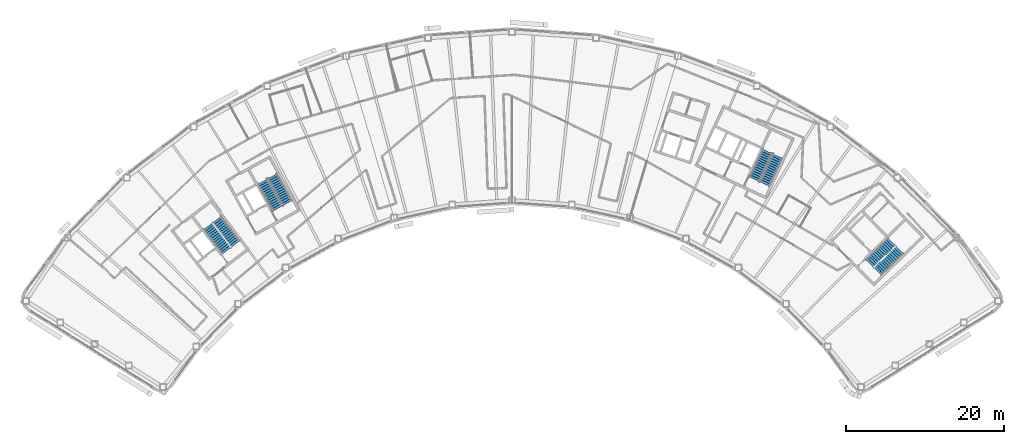
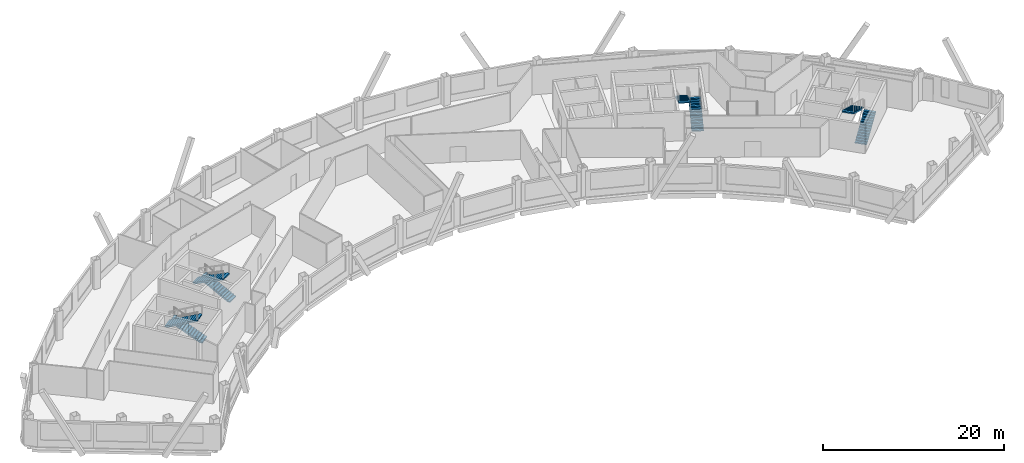
# One storey, part 10 of 12: 8 stair flights, 4 elements without a shape of their own.
"""IFC4 building model written with IfcOpenShell, lengths in metres."""

from ifc_helpers import new_model, si_unit, direction, frame, origin, place, context, subcontext, project, spatial, polyline, outline, extrude, material, type_object, element, aggregate, save


model = new_model("IFC4")

# Units and contexts
model_context = context("Model", 3, precision=1e-05, world=origin(), true_north=direction((0.0, 1.0)))
body_context = subcontext(model_context, "Body", "Model", "MODEL_VIEW")
ifc_project = project(units=[si_unit("LENGTHUNIT", "METRE"), si_unit("AREAUNIT", "SQUARE_METRE"), si_unit("VOLUMEUNIT", "CUBIC_METRE"), si_unit("PLANEANGLEUNIT", "RADIAN"), si_unit("MASSUNIT", "GRAM", prefix="KILO")], contexts=[model_context])

# Site, building, storey
site_placement = place(None, origin())
site = spatial("IfcSite", under=ifc_project, at=site_placement, CompositionType="ELEMENT")
building_placement = place(site_placement, origin())
building = spatial("IfcBuilding", under=site, at=building_placement, Name="Tuul Gate Civic Tower", CompositionType="ELEMENT")
storey_placement = place(building_placement, frame((0.0, 0.0, 328.10009765625)))
storey = spatial("IfcBuildingStorey", under=building, at=storey_placement, Name="Level 74", CompositionType="ELEMENT", Elevation=328.10009765625)

# Stair, stair flights
ifc_material_1 = material(Name="Concrete C40/50", Category="concrete")
stair_type = type_object("IfcStairType", Name="Exit stair", PredefinedType="HALF_TURN_STAIR", material=ifc_material_1)
stair_1_placement = place(storey_placement, origin())
stair_1 = element("IfcStair", 1, at=stair_1_placement, inside=storey, type_object=stair_type, Name="Level 74 ST-1", PredefinedType="HALF_TURN_STAIR")
ifc_material_2 = material(Name="Concrete C40/50", Category="concrete")
stair_flight_type = type_object("IfcStairFlightType", Name="Exit stair flight", PredefinedType="STRAIGHT", material=ifc_material_2)
stair_flight_1_placement = place(storey_placement, frame((-32.875244140625, -13.066650390625, 0.0), z_axis=(0.0, 0.0, 1.0), x_axis=(-0.605764474941, 0.795644016442, 0.0)))
stair_flight_1 = element("IfcStairFlight", 2, at=stair_flight_1_placement, type_object=stair_flight_type, Name="ST-1 flight 1", NumberOfRisers=14, NumberOfTreads=13, PredefinedType="STRAIGHT", RiserHeight=0.15, TreadLength=0.3, context=body_context, shape_type="SweptSolid", body=[
    extrude(outline(polyline([(0.0, 0.0), (0.0, 0.14990234375), (0.300048828125, 0.14990234375), (0.300048828125, 0.300048828125), (0.60009765625, 0.300048828125), (0.60009765625, 0.449951171875), (0.89990234375, 0.449951171875), (0.89990234375, 0.60009765625), (1.199951171875, 0.60009765625), (1.199951171875, 0.75), (1.5, 0.75), (1.5, 0.89990234375), (1.800048828125, 0.89990234375), (1.800048828125, 1.050048828125), (2.10009765625, 1.050048828125), (2.10009765625, 1.199951171875), (2.39990234375, 1.199951171875), (2.39990234375, 1.35009765625), (2.699951171875, 1.35009765625), (2.699951171875, 1.5), (3.0, 1.5), (3.0, 1.64990234375), (3.300048828125, 1.64990234375), (3.300048828125, 1.800048828125), (3.60009765625, 1.800048828125), (3.60009765625, 1.949951171875), (3.89990234375, 1.949951171875), (3.89990234375, 2.10009765625), (3.89990234375, 1.782470703125), (0.335205078125, 0.0), (0.0, 0.0)])), frame((0.0, 0.675048828125, 0.0), z_axis=(0.0, -1.0, 0.0), x_axis=(1.0, 0.0, 0.0)), (0.0, 0.0, 1.0), 1.35009765625),
])
stair_flight_2_placement = place(storey_placement, frame((-36.391357421875, -10.842041015625, 2.099853515625), z_axis=(0.0, 0.0, 1.0), x_axis=(0.605764474941, -0.795644016442, 0.0)))
stair_flight_2 = element("IfcStairFlight", 3, at=stair_flight_2_placement, type_object=stair_flight_type, Name="ST-1 flight 2", NumberOfRisers=14, NumberOfTreads=13, PredefinedType="STRAIGHT", RiserHeight=0.15, TreadLength=0.3, context=body_context, shape_type="SweptSolid", body=[
    extrude(outline(polyline([(0.0, 0.0), (0.0, 0.14990234375), (0.300048828125, 0.14990234375), (0.300048828125, 0.300048828125), (0.60009765625, 0.300048828125), (0.60009765625, 0.449951171875), (0.89990234375, 0.449951171875), (0.89990234375, 0.60009765625), (1.199951171875, 0.60009765625), (1.199951171875, 0.75), (1.5, 0.75), (1.5, 0.89990234375), (1.800048828125, 0.89990234375), (1.800048828125, 1.050048828125), (2.10009765625, 1.050048828125), (2.10009765625, 1.199951171875), (2.39990234375, 1.199951171875), (2.39990234375, 1.35009765625), (2.699951171875, 1.35009765625), (2.699951171875, 1.5), (3.0, 1.5), (3.0, 1.64990234375), (3.300048828125, 1.64990234375), (3.300048828125, 1.800048828125), (3.60009765625, 1.800048828125), (3.60009765625, 1.949951171875), (3.89990234375, 1.949951171875), (3.89990234375, 2.10009765625), (3.89990234375, 1.782470703125), (0.335205078125, 0.0), (0.0, 0.0)])), frame((0.0, 0.675048828125, 0.0), z_axis=(0.0, -1.0, 0.0), x_axis=(1.0, 0.0, 0.0)), (0.0, 0.0, 1.0), 1.35009765625),
])
aggregate(stair_1, [stair_flight_1, stair_flight_2])

stair_2_placement = place(storey_placement, origin())
stair_2 = element("IfcStair", 4, at=stair_2_placement, inside=storey, type_object=stair_type, Name="Level 74 ST-2", PredefinedType="HALF_TURN_STAIR")
stair_flight_3_placement = place(storey_placement, frame((-26.29150390625, -7.87646484375, 0.0), z_axis=(0.0, 0.0, 1.0), x_axis=(-0.484761763766, 0.874646232708, 0.0)))
stair_flight_3 = element("IfcStairFlight", 5, at=stair_flight_3_placement, type_object=stair_flight_type, Name="ST-2 flight 1", NumberOfRisers=14, NumberOfTreads=13, PredefinedType="STRAIGHT", RiserHeight=0.15, TreadLength=0.3, context=body_context, shape_type="SweptSolid", body=[
    extrude(outline(polyline([(0.0, 0.0), (0.0, 0.14990234375), (0.300048828125, 0.14990234375), (0.300048828125, 0.300048828125), (0.60009765625, 0.300048828125), (0.60009765625, 0.449951171875), (0.89990234375, 0.449951171875), (0.89990234375, 0.60009765625), (1.199951171875, 0.60009765625), (1.199951171875, 0.75), (1.5, 0.75), (1.5, 0.89990234375), (1.800048828125, 0.89990234375), (1.800048828125, 1.050048828125), (2.10009765625, 1.050048828125), (2.10009765625, 1.199951171875), (2.39990234375, 1.199951171875), (2.39990234375, 1.35009765625), (2.699951171875, 1.35009765625), (2.699951171875, 1.5), (3.0, 1.5), (3.0, 1.64990234375), (3.300048828125, 1.64990234375), (3.300048828125, 1.800048828125), (3.60009765625, 1.800048828125), (3.60009765625, 1.949951171875), (3.89990234375, 1.949951171875), (3.89990234375, 2.10009765625), (3.89990234375, 1.782470703125), (0.335205078125, 0.0), (0.0, 0.0)])), frame((0.0, 0.675048828125, 0.0), z_axis=(0.0, -1.0, 0.0), x_axis=(1.0, 0.0, 0.0)), (0.0, 0.0, 1.0), 1.35009765625),
])
stair_flight_4_placement = place(storey_placement, frame((-29.450439453125, -5.168212890625, 2.099853515625), z_axis=(0.0, 0.0, 1.0), x_axis=(0.484761763766, -0.874646232708, 0.0)))
stair_flight_4 = element("IfcStairFlight", 6, at=stair_flight_4_placement, type_object=stair_flight_type, Name="ST-2 flight 2", NumberOfRisers=14, NumberOfTreads=13, PredefinedType="STRAIGHT", RiserHeight=0.15, TreadLength=0.3, context=body_context, shape_type="SweptSolid", body=[
    extrude(outline(polyline([(0.0, 0.0), (0.0, 0.14990234375), (0.300048828125, 0.14990234375), (0.300048828125, 0.300048828125), (0.60009765625, 0.300048828125), (0.60009765625, 0.449951171875), (0.89990234375, 0.449951171875), (0.89990234375, 0.60009765625), (1.199951171875, 0.60009765625), (1.199951171875, 0.75), (1.5, 0.75), (1.5, 0.89990234375), (1.800048828125, 0.89990234375), (1.800048828125, 1.050048828125), (2.10009765625, 1.050048828125), (2.10009765625, 1.199951171875), (2.39990234375, 1.199951171875), (2.39990234375, 1.35009765625), (2.699951171875, 1.35009765625), (2.699951171875, 1.5), (3.0, 1.5), (3.0, 1.64990234375), (3.300048828125, 1.64990234375), (3.300048828125, 1.800048828125), (3.60009765625, 1.800048828125), (3.60009765625, 1.949951171875), (3.89990234375, 1.949951171875), (3.89990234375, 2.10009765625), (3.89990234375, 1.782470703125), (0.335205078125, 0.0), (0.0, 0.0)])), frame((0.0, 0.675048828125, 0.0), z_axis=(0.0, -1.0, 0.0), x_axis=(1.0, 0.0, 0.0)), (0.0, 0.0, 1.0), 1.35009765625),
])
aggregate(stair_2, [stair_flight_3, stair_flight_4])

stair_3_placement = place(storey_placement, origin())
stair_3 = element("IfcStair", 7, at=stair_3_placement, inside=storey, type_object=stair_type, Name="Level 74 ST-3", PredefinedType="HALF_TURN_STAIR")
stair_flight_5_placement = place(storey_placement, frame((48.61376953125, -16.581787109375, 0.0), z_axis=(0.0, 0.0, 1.0), x_axis=(0.714127290059, 0.700015866672, 0.0)))
stair_flight_5 = element("IfcStairFlight", 8, at=stair_flight_5_placement, type_object=stair_flight_type, Name="ST-3 flight 1", NumberOfRisers=14, NumberOfTreads=13, PredefinedType="STRAIGHT", RiserHeight=0.15, TreadLength=0.3, context=body_context, shape_type="SweptSolid", body=[
    extrude(outline(polyline([(0.0, 0.0), (0.0, 0.14990234375), (0.300048828125, 0.14990234375), (0.300048828125, 0.300048828125), (0.60009765625, 0.300048828125), (0.60009765625, 0.449951171875), (0.89990234375, 0.449951171875), (0.89990234375, 0.60009765625), (1.199951171875, 0.60009765625), (1.199951171875, 0.75), (1.5, 0.75), (1.5, 0.89990234375), (1.800048828125, 0.89990234375), (1.800048828125, 1.050048828125), (2.10009765625, 1.050048828125), (2.10009765625, 1.199951171875), (2.39990234375, 1.199951171875), (2.39990234375, 1.35009765625), (2.699951171875, 1.35009765625), (2.699951171875, 1.5), (3.0, 1.5), (3.0, 1.64990234375), (3.300048828125, 1.64990234375), (3.300048828125, 1.800048828125), (3.60009765625, 1.800048828125), (3.60009765625, 1.949951171875), (3.89990234375, 1.949951171875), (3.89990234375, 2.10009765625), (3.89990234375, 1.782470703125), (0.335205078125, 0.0), (0.0, 0.0)])), frame((0.0, 0.675048828125, 0.0), z_axis=(0.0, -1.0, 0.0), x_axis=(1.0, 0.0, 0.0)), (0.0, 0.0, 1.0), 1.35009765625),
])
stair_flight_6_placement = place(storey_placement, frame((50.3837890625, -12.816162109375, 2.099853515625), z_axis=(0.0, 0.0, 1.0), x_axis=(-0.714127290059, -0.700015866672, 0.0)))
stair_flight_6 = element("IfcStairFlight", 9, at=stair_flight_6_placement, type_object=stair_flight_type, Name="ST-3 flight 2", NumberOfRisers=14, NumberOfTreads=13, PredefinedType="STRAIGHT", RiserHeight=0.15, TreadLength=0.3, context=body_context, shape_type="SweptSolid", body=[
    extrude(outline(polyline([(0.0, 0.0), (0.0, 0.14990234375), (0.300048828125, 0.14990234375), (0.300048828125, 0.300048828125), (0.60009765625, 0.300048828125), (0.60009765625, 0.449951171875), (0.89990234375, 0.449951171875), (0.89990234375, 0.60009765625), (1.199951171875, 0.60009765625), (1.199951171875, 0.75), (1.5, 0.75), (1.5, 0.89990234375), (1.800048828125, 0.89990234375), (1.800048828125, 1.050048828125), (2.10009765625, 1.050048828125), (2.10009765625, 1.199951171875), (2.39990234375, 1.199951171875), (2.39990234375, 1.35009765625), (2.699951171875, 1.35009765625), (2.699951171875, 1.5), (3.0, 1.5), (3.0, 1.64990234375), (3.300048828125, 1.64990234375), (3.300048828125, 1.800048828125), (3.60009765625, 1.800048828125), (3.60009765625, 1.949951171875), (3.89990234375, 1.949951171875), (3.89990234375, 2.10009765625), (3.89990234375, 1.782470703125), (0.335205078125, 0.0), (0.0, 0.0)])), frame((0.0, 0.675048828125, 0.0), z_axis=(0.0, -1.0, 0.0), x_axis=(1.0, 0.0, 0.0)), (0.0, 0.0, 1.0), 1.35009765625),
])
aggregate(stair_3, [stair_flight_5, stair_flight_6])

stair_4_placement = place(storey_placement, origin())
stair_4 = element("IfcStair", 10, at=stair_4_placement, inside=storey, type_object=stair_type, Name="Level 74 ST-4", PredefinedType="HALF_TURN_STAIR")
stair_flight_7_placement = place(storey_placement, frame((34.278564453125, -5.478515625, 0.0), z_axis=(0.0, 0.0, 1.0), x_axis=(0.422576295988, 0.906327354806, 0.0)))
stair_flight_7 = element("IfcStairFlight", 11, at=stair_flight_7_placement, type_object=stair_flight_type, Name="ST-4 flight 1", NumberOfRisers=14, NumberOfTreads=13, PredefinedType="STRAIGHT", RiserHeight=0.15, TreadLength=0.3, context=body_context, shape_type="SweptSolid", body=[
    extrude(outline(polyline([(0.0, 0.0), (0.0, 0.14990234375), (0.300048828125, 0.14990234375), (0.300048828125, 0.300048828125), (0.60009765625, 0.300048828125), (0.60009765625, 0.449951171875), (0.89990234375, 0.449951171875), (0.89990234375, 0.60009765625), (1.199951171875, 0.60009765625), (1.199951171875, 0.75), (1.5, 0.75), (1.5, 0.89990234375), (1.800048828125, 0.89990234375), (1.800048828125, 1.050048828125), (2.10009765625, 1.050048828125), (2.10009765625, 1.199951171875), (2.39990234375, 1.199951171875), (2.39990234375, 1.35009765625), (2.699951171875, 1.35009765625), (2.699951171875, 1.5), (3.0, 1.5), (3.0, 1.64990234375), (3.300048828125, 1.64990234375), (3.300048828125, 1.800048828125), (3.60009765625, 1.800048828125), (3.60009765625, 1.949951171875), (3.89990234375, 1.949951171875), (3.89990234375, 2.10009765625), (3.89990234375, 1.782470703125), (0.335205078125, 0.0), (0.0, 0.0)])), frame((0.0, 0.675048828125, 0.0), z_axis=(0.0, -1.0, 0.0), x_axis=(1.0, 0.0, 0.0)), (0.0, 0.0, 1.0), 1.35009765625),
])
stair_flight_8_placement = place(storey_placement, frame((34.612548828125, -1.3310546875, 2.099853515625), z_axis=(0.0, 0.0, 1.0), x_axis=(-0.422576295988, -0.906327354806, 0.0)))
stair_flight_8 = element("IfcStairFlight", 12, at=stair_flight_8_placement, type_object=stair_flight_type, Name="ST-4 flight 2", NumberOfRisers=14, NumberOfTreads=13, PredefinedType="STRAIGHT", RiserHeight=0.15, TreadLength=0.3, context=body_context, shape_type="SweptSolid", body=[
    extrude(outline(polyline([(0.0, 0.0), (0.0, 0.14990234375), (0.300048828125, 0.14990234375), (0.300048828125, 0.300048828125), (0.60009765625, 0.300048828125), (0.60009765625, 0.449951171875), (0.89990234375, 0.449951171875), (0.89990234375, 0.60009765625), (1.199951171875, 0.60009765625), (1.199951171875, 0.75), (1.5, 0.75), (1.5, 0.89990234375), (1.800048828125, 0.89990234375), (1.800048828125, 1.050048828125), (2.10009765625, 1.050048828125), (2.10009765625, 1.199951171875), (2.39990234375, 1.199951171875), (2.39990234375, 1.35009765625), (2.699951171875, 1.35009765625), (2.699951171875, 1.5), (3.0, 1.5), (3.0, 1.64990234375), (3.300048828125, 1.64990234375), (3.300048828125, 1.800048828125), (3.60009765625, 1.800048828125), (3.60009765625, 1.949951171875), (3.89990234375, 1.949951171875), (3.89990234375, 2.10009765625), (3.89990234375, 1.782470703125), (0.335205078125, 0.0), (0.0, 0.0)])), frame((0.0, 0.675048828125, 0.0), z_axis=(0.0, -1.0, 0.0), x_axis=(1.0, 0.0, 0.0)), (0.0, 0.0, 1.0), 1.35009765625),
])
aggregate(stair_4, [stair_flight_7, stair_flight_8])

save(model, "model.ifc")
